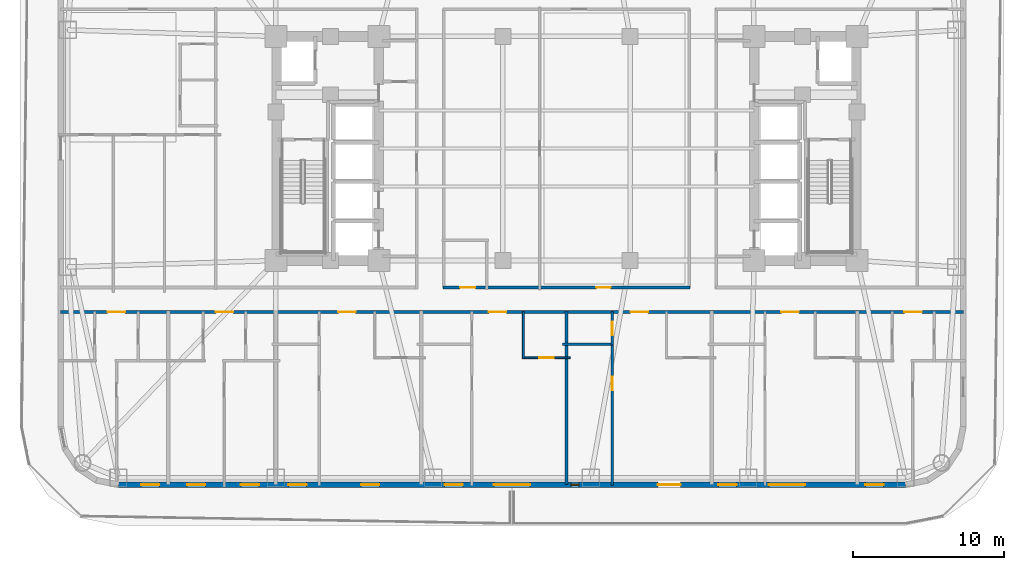
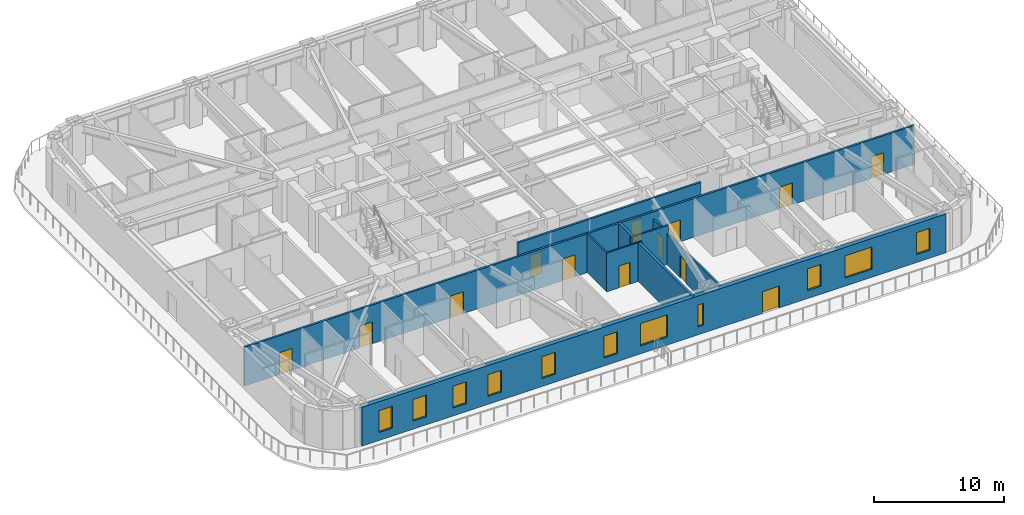
# One storey, part 5 of 14: 13 doors, 11 windows, 9 walls, 24 openings.
"""IFC4 building model written with IfcOpenShell, lengths in metres."""

from ifc_helpers import new_model, si_unit, direction, frame, frame_2d, origin, place, context, subcontext, project, spatial, rectangle, extrude, material, layer, layer_set, type_object, element, fill, save


model = new_model("IFC4")

# Units and contexts
model_context = context("Model", 3, precision=1e-05, world=origin(), true_north=direction((0.0, 1.0)))
body_context = subcontext(model_context, "Body", "Model", "MODEL_VIEW")
ifc_project = project(units=[si_unit("LENGTHUNIT", "METRE"), si_unit("AREAUNIT", "SQUARE_METRE"), si_unit("VOLUMEUNIT", "CUBIC_METRE"), si_unit("PLANEANGLEUNIT", "RADIAN"), si_unit("MASSUNIT", "GRAM", prefix="KILO")], contexts=[model_context])

# Site, building, storey
site_placement = place(None, origin())
site = spatial("IfcSite", under=ifc_project, at=site_placement, CompositionType="ELEMENT")
building_placement = place(site_placement, origin())
building = spatial("IfcBuilding", under=site, at=building_placement, Name="Voryun Gate Residences", CompositionType="ELEMENT")
storey_placement = place(building_placement, frame((0.0, 0.0, 53.300048828125)))
storey = spatial("IfcBuildingStorey", under=building, at=storey_placement, Name="L12", CompositionType="ELEMENT", Elevation=53.300048828125)

# Wall, openings, doors
ifc_material_1 = material(Name="Gypsum acoustic fireboard")
ifc_layer_1 = layer(ifc_material_1, 0.179931640625, Name="W_CORR_RATED_180")
ifc_layer_set_1 = layer_set([ifc_layer_1], Name="Gypsum acoustic fireboard")
wall_type_1 = type_object("IfcWallType", Name="W_CORR_RATED_180", PredefinedType="PARTITIONING", material=ifc_layer_set_1)
wall_1_placement = place(storey_placement, frame((-8.14990234375, -9.18994140625, 0.0), z_axis=(0.0, 0.0, 1.0), x_axis=(1.0, 0.0, 0.0)))
wall_1 = element("IfcWall", 1, at=wall_1_placement, inside=storey, type_object=wall_type_1, Name="Partition wall WP-L12-Z1S", PredefinedType="PARTITIONING", context=body_context, shape_type="SweptSolid", body=[
    extrude(rectangle(XDim=16.2998046875, YDim=0.179931640625, at=frame_2d((8.14990234375, 0.0))), origin(), (0.0, 0.0, 1.0), 3.64990234375),
])
opening_1_placement = place(wall_1_placement, frame((1.1298828125, 0.0, 0.0)))
opening_1 = element("IfcOpeningElement", 2, at=opening_1_placement, cuts=wall_1, Name="Opening D-AWC-1", PredefinedType="OPENING", context=body_context, shape_type="SweptSolid", body=[
    extrude(rectangle(XDim=1.0, YDim=2.050048828125, at=frame_2d((0.5, 1.02490234375))), frame((0.0, 0.099853515625, 0.0), z_axis=(0.0, -1.0, 0.0), x_axis=(1.0, 0.0, 0.0)), (0.0, 0.0, 1.0), 0.199951171875),
])
opening_2_placement = place(wall_1_placement, frame((10.1201171875, 0.0, 0.0)))
opening_2 = element("IfcOpeningElement", 3, at=opening_2_placement, cuts=wall_1, Name="Opening D-INT-1", PredefinedType="OPENING", context=body_context, shape_type="SweptSolid", body=[
    extrude(rectangle(XDim=0.949951171875, YDim=2.050048828125, at=frame_2d((0.47509765625, 1.02490234375))), frame((0.0, 0.099853515625, 0.0), z_axis=(0.0, -1.0, 0.0), x_axis=(1.0, 0.0, 0.0)), (0.0, 0.0, 1.0), 0.199951171875),
])
ifc_material_2 = material(Name="Architectural oak veneer")
door_type_1 = type_object("IfcDoorType", Name="DR_ACC_WC_1000", OperationType="NOTDEFINED", PredefinedType="DOOR", material=ifc_material_2)
door_1_placement = place(opening_1_placement, origin())
door_1 = element("IfcDoor", 4, at=door_1_placement, inside=storey, type_object=door_type_1, Name="Door DR-L12-CMWC-D", OperationType="SINGLE_SWING_LEFT", OverallHeight=2.050048828125, OverallWidth=1.0, PredefinedType="DOOR", context=body_context, shape_type="SweptSolid", body=[
    extrude(rectangle(XDim=1.0, YDim=2.050048828125, at=frame_2d((0.5, 1.02490234375))), frame((0.0, 0.02490234375, 0.0), z_axis=(0.0, -1.0, 0.0), x_axis=(1.0, 0.0, 0.0)), (0.0, 0.0, 1.0), 0.050048828125),
])
fill(opening_1, door_1)
ifc_material_3 = material(Name="Architectural oak veneer")
door_type_2 = type_object("IfcDoorType", Name="DR_INT_ROOM_950", OperationType="NOTDEFINED", PredefinedType="DOOR", material=ifc_material_3)
door_2_placement = place(opening_2_placement, origin())
door_2 = element("IfcDoor", 5, at=door_2_placement, inside=storey, type_object=door_type_2, Name="Door DR-L12-CMIDZ1S", OperationType="SINGLE_SWING_RIGHT", OverallHeight=2.050048828125, OverallWidth=0.949951171875, PredefinedType="DOOR", context=body_context, shape_type="SweptSolid", body=[
    extrude(rectangle(XDim=0.949951171875, YDim=2.050048828125, at=frame_2d((0.47509765625, 1.02490234375))), frame((0.0, 0.02490234375, 0.0), z_axis=(0.0, -1.0, 0.0), x_axis=(1.0, 0.0, 0.0)), (0.0, 0.0, 1.0), 0.050048828125),
])
fill(opening_2, door_2)

wall_2_placement = place(storey_placement, frame((-33.409912109375, -10.800048828125, 0.0), z_axis=(0.0, 0.0, 1.0), x_axis=(1.0, 0.0, 0.0)))
wall_2 = element("IfcWall", 6, at=wall_2_placement, inside=storey, type_object=wall_type_1, Name="Partition wall WP-L12-SCORR", PredefinedType="PARTITIONING", context=body_context, shape_type="SweptSolid", body=[
    extrude(rectangle(XDim=59.619873046875, YDim=0.179931640625, at=frame_2d((29.81005859375, 0.0))), origin(), (0.0, 0.0, 1.0), 3.64990234375),
])
opening_3_placement = place(wall_2_placement, frame((3.103515625, 0.0, 0.0)))
opening_3 = element("IfcOpeningElement", 7, at=opening_3_placement, cuts=wall_2, Name="Opening D-UNIT-1", PredefinedType="OPENING", context=body_context, shape_type="SweptSolid", body=[
    extrude(rectangle(XDim=1.14990234375, YDim=2.050048828125, at=frame_2d((0.574951171875, 1.02490234375))), frame((0.0, 0.099853515625, 0.0), z_axis=(0.0, -1.0, 0.0), x_axis=(1.0, 0.0, 0.0)), (0.0, 0.0, 1.0), 0.199951171875),
])
opening_4_placement = place(wall_2_placement, frame((10.24609375, 0.0, 0.0)))
opening_4 = element("IfcOpeningElement", 8, at=opening_4_placement, cuts=wall_2, Name="Opening D-UNIT-1", PredefinedType="OPENING", context=body_context, shape_type="SweptSolid", body=[
    extrude(rectangle(XDim=1.14990234375, YDim=2.050048828125, at=frame_2d((0.574951171875, 1.02490234375))), frame((0.0, 0.099853515625, 0.0), z_axis=(0.0, -1.0, 0.0), x_axis=(1.0, 0.0, 0.0)), (0.0, 0.0, 1.0), 0.199951171875),
])
opening_5_placement = place(wall_2_placement, frame((18.33642578125, 0.0, 0.0)))
opening_5 = element("IfcOpeningElement", 9, at=opening_5_placement, cuts=wall_2, Name="Opening D-UNIT-1", PredefinedType="OPENING", context=body_context, shape_type="SweptSolid", body=[
    extrude(rectangle(XDim=1.14990234375, YDim=2.050048828125, at=frame_2d((0.574951171875, 1.02490234375))), frame((0.0, 0.099853515625, 0.0), z_axis=(0.0, -1.0, 0.0), x_axis=(1.0, 0.0, 0.0)), (0.0, 0.0, 1.0), 0.199951171875),
])
opening_6_placement = place(wall_2_placement, frame((28.287109375, 0.0, 0.0)))
opening_6 = element("IfcOpeningElement", 10, at=opening_6_placement, cuts=wall_2, Name="Opening D-UNIT-1", PredefinedType="OPENING", context=body_context, shape_type="SweptSolid", body=[
    extrude(rectangle(XDim=1.14990234375, YDim=2.050048828125, at=frame_2d((0.574951171875, 1.02490234375))), frame((0.0, 0.099853515625, 0.0), z_axis=(0.0, -1.0, 0.0), x_axis=(1.0, 0.0, 0.0)), (0.0, 0.0, 1.0), 0.199951171875),
])
opening_7_placement = place(wall_2_placement, frame((37.6533203125, 0.0, 0.0)))
opening_7 = element("IfcOpeningElement", 11, at=opening_7_placement, cuts=wall_2, Name="Opening D-UNIT-1", PredefinedType="OPENING", context=body_context, shape_type="SweptSolid", body=[
    extrude(rectangle(XDim=1.14990234375, YDim=2.050048828125, at=frame_2d((0.574951171875, 1.02490234375))), frame((0.0, 0.099853515625, 0.0), z_axis=(0.0, -1.0, 0.0), x_axis=(1.0, 0.0, 0.0)), (0.0, 0.0, 1.0), 0.199951171875),
])
opening_8_placement = place(wall_2_placement, frame((47.60400390625, 0.0, 0.0)))
opening_8 = element("IfcOpeningElement", 12, at=opening_8_placement, cuts=wall_2, Name="Opening D-UNIT-1", PredefinedType="OPENING", context=body_context, shape_type="SweptSolid", body=[
    extrude(rectangle(XDim=1.14990234375, YDim=2.050048828125, at=frame_2d((0.574951171875, 1.02490234375))), frame((0.0, 0.099853515625, 0.0), z_axis=(0.0, -1.0, 0.0), x_axis=(1.0, 0.0, 0.0)), (0.0, 0.0, 1.0), 0.199951171875),
])
opening_9_placement = place(wall_2_placement, frame((55.736083984375, 0.0, 0.0)))
opening_9 = element("IfcOpeningElement", 13, at=opening_9_placement, cuts=wall_2, Name="Opening D-UNIT-1", PredefinedType="OPENING", context=body_context, shape_type="SweptSolid", body=[
    extrude(rectangle(XDim=1.14990234375, YDim=2.050048828125, at=frame_2d((0.574951171875, 1.02490234375))), frame((0.0, 0.099853515625, 0.0), z_axis=(0.0, -1.0, 0.0), x_axis=(1.0, 0.0, 0.0)), (0.0, 0.0, 1.0), 0.199951171875),
])
ifc_material_4 = material(Name="Armoured timber-clad fire door", Category="wood")
door_type_3 = type_object("IfcDoorType", Name="DR_UNIT_ENTRY_1150", OperationType="NOTDEFINED", PredefinedType="DOOR", material=ifc_material_4)
door_3_placement = place(opening_3_placement, origin())
door_3 = element("IfcDoor", 14, at=door_3_placement, inside=storey, type_object=door_type_3, Name="Door DR-L12-SENT-1", OperationType="SINGLE_SWING_RIGHT", OverallHeight=2.050048828125, OverallWidth=1.14990234375, PredefinedType="DOOR", context=body_context, shape_type="SweptSolid", body=[
    extrude(rectangle(XDim=1.14990234375, YDim=2.050048828125, at=frame_2d((0.574951171875, 1.02490234375))), frame((0.0, 0.02490234375, 0.0), z_axis=(0.0, -1.0, 0.0), x_axis=(1.0, 0.0, 0.0)), (0.0, 0.0, 1.0), 0.050048828125),
])
fill(opening_3, door_3)
door_4_placement = place(opening_4_placement, origin())
door_4 = element("IfcDoor", 15, at=door_4_placement, inside=storey, type_object=door_type_3, Name="Door DR-L12-SENT-2", OperationType="SINGLE_SWING_LEFT", OverallHeight=2.050048828125, OverallWidth=1.14990234375, PredefinedType="DOOR", context=body_context, shape_type="SweptSolid", body=[
    extrude(rectangle(XDim=1.14990234375, YDim=2.050048828125, at=frame_2d((0.574951171875, 1.02490234375))), frame((0.0, 0.02490234375, 0.0), z_axis=(0.0, -1.0, 0.0), x_axis=(1.0, 0.0, 0.0)), (0.0, 0.0, 1.0), 0.050048828125),
])
fill(opening_4, door_4)
door_5_placement = place(opening_5_placement, origin())
door_5 = element("IfcDoor", 16, at=door_5_placement, inside=storey, type_object=door_type_3, Name="Door DR-L12-SENT-3", OperationType="SINGLE_SWING_RIGHT", OverallHeight=2.050048828125, OverallWidth=1.14990234375, PredefinedType="DOOR", context=body_context, shape_type="SweptSolid", body=[
    extrude(rectangle(XDim=1.14990234375, YDim=2.050048828125, at=frame_2d((0.574951171875, 1.02490234375))), frame((0.0, 0.02490234375, 0.0), z_axis=(0.0, -1.0, 0.0), x_axis=(1.0, 0.0, 0.0)), (0.0, 0.0, 1.0), 0.050048828125),
])
fill(opening_5, door_5)
door_6_placement = place(opening_6_placement, origin())
door_6 = element("IfcDoor", 17, at=door_6_placement, inside=storey, type_object=door_type_3, Name="Door DR-L12-SENT-4", OperationType="SINGLE_SWING_LEFT", OverallHeight=2.050048828125, OverallWidth=1.14990234375, PredefinedType="DOOR", context=body_context, shape_type="SweptSolid", body=[
    extrude(rectangle(XDim=1.14990234375, YDim=2.050048828125, at=frame_2d((0.574951171875, 1.02490234375))), frame((0.0, 0.02490234375, 0.0), z_axis=(0.0, -1.0, 0.0), x_axis=(1.0, 0.0, 0.0)), (0.0, 0.0, 1.0), 0.050048828125),
])
fill(opening_6, door_6)
door_7_placement = place(opening_7_placement, origin())
door_7 = element("IfcDoor", 18, at=door_7_placement, inside=storey, type_object=door_type_3, Name="Door DR-L12-SENT-5", OperationType="SINGLE_SWING_RIGHT", OverallHeight=2.050048828125, OverallWidth=1.14990234375, PredefinedType="DOOR", context=body_context, shape_type="SweptSolid", body=[
    extrude(rectangle(XDim=1.14990234375, YDim=2.050048828125, at=frame_2d((0.574951171875, 1.02490234375))), frame((0.0, 0.02490234375, 0.0), z_axis=(0.0, -1.0, 0.0), x_axis=(1.0, 0.0, 0.0)), (0.0, 0.0, 1.0), 0.050048828125),
])
fill(opening_7, door_7)
door_8_placement = place(opening_8_placement, origin())
door_8 = element("IfcDoor", 19, at=door_8_placement, inside=storey, type_object=door_type_3, Name="Door DR-L12-SENT-6", OperationType="SINGLE_SWING_LEFT", OverallHeight=2.050048828125, OverallWidth=1.14990234375, PredefinedType="DOOR", context=body_context, shape_type="SweptSolid", body=[
    extrude(rectangle(XDim=1.14990234375, YDim=2.050048828125, at=frame_2d((0.574951171875, 1.02490234375))), frame((0.0, 0.02490234375, 0.0), z_axis=(0.0, -1.0, 0.0), x_axis=(1.0, 0.0, 0.0)), (0.0, 0.0, 1.0), 0.050048828125),
])
fill(opening_8, door_8)
door_9_placement = place(opening_9_placement, origin())
door_9 = element("IfcDoor", 20, at=door_9_placement, inside=storey, type_object=door_type_3, Name="Door DR-L12-SENT-7", OperationType="SINGLE_SWING_RIGHT", OverallHeight=2.050048828125, OverallWidth=1.14990234375, PredefinedType="DOOR", context=body_context, shape_type="SweptSolid", body=[
    extrude(rectangle(XDim=1.14990234375, YDim=2.050048828125, at=frame_2d((0.574951171875, 1.02490234375))), frame((0.0, 0.02490234375, 0.0), z_axis=(0.0, -1.0, 0.0), x_axis=(1.0, 0.0, 0.0)), (0.0, 0.0, 1.0), 0.050048828125),
])
fill(opening_9, door_9)

# Wall, openings, door, windows
ifc_material_5 = material(Name="Granite masonry", Category="masonry")
ifc_layer_2 = layer(ifc_material_5, 0.3798828125, Name="W_EXT_GRANITE_380")
ifc_layer_set_2 = layer_set([ifc_layer_2], Name="Granite masonry")
wall_type_2 = type_object("IfcWallType", Name="W_EXT_GRANITE_380", PredefinedType="ELEMENTEDWALL", material=ifc_layer_set_2)
wall_3_placement = place(storey_placement, frame((22.38134765625, -22.2099609375, 0.0), z_axis=(0.0, 0.0, 1.0), x_axis=(-1.0, 0.0, 0.0)))
wall_3 = element("IfcWall", 21, at=wall_3_placement, inside=storey, type_object=wall_type_2, Name="Exterior wall WEXT-L12-01", PredefinedType="ELEMENTEDWALL", context=body_context, shape_type="SweptSolid", body=[
    extrude(rectangle(XDim=51.962646484375, YDim=0.3798828125, at=frame_2d((25.9814453125, 0.0))), origin(), (0.0, 0.0, 1.0), 3.64990234375),
])
opening_10_placement = place(wall_3_placement, frame((14.839111328125, 0.0, 0.0)))
opening_10 = element("IfcOpeningElement", 22, at=opening_10_placement, cuts=wall_3, Name="Opening D-TER-1", PredefinedType="OPENING", context=body_context, shape_type="SweptSolid", body=[
    extrude(rectangle(XDim=1.5, YDim=2.050048828125, at=frame_2d((0.75, 1.02490234375))), frame((0.0, 0.199951171875, 0.0), z_axis=(0.0, -1.0, 0.0), x_axis=(1.0, 0.0, 0.0)), (0.0, 0.0, 1.0), 0.39990234375),
])
opening_11_placement = place(wall_3_placement, frame((6.6103515625, 0.0, 0.75)))
opening_11 = element("IfcOpeningElement", 23, at=opening_11_placement, cuts=wall_3, Name="Opening WN2", PredefinedType="OPENING", context=body_context, shape_type="SweptSolid", body=[
    extrude(rectangle(XDim=2.39990234375, YDim=2.10009765625, at=frame_2d((1.199951171875, 1.050048828125))), frame((0.0, 0.199951171875, 0.0), z_axis=(0.0, -1.0, 0.0), x_axis=(1.0, 0.0, 0.0)), (0.0, 0.0, 1.0), 0.39990234375),
])
opening_12_placement = place(wall_3_placement, frame((24.78125, 0.0, 0.75)))
opening_12 = element("IfcOpeningElement", 24, at=opening_12_placement, cuts=wall_3, Name="Opening WN2", PredefinedType="OPENING", context=body_context, shape_type="SweptSolid", body=[
    extrude(rectangle(XDim=2.39990234375, YDim=2.10009765625, at=frame_2d((1.199951171875, 1.050048828125))), frame((0.0, 0.199951171875, 0.0), z_axis=(0.0, -1.0, 0.0), x_axis=(1.0, 0.0, 0.0)), (0.0, 0.0, 1.0), 0.39990234375),
])
opening_13_placement = place(wall_3_placement, frame((49.281494140625, 0.0, 0.75)))
opening_13 = element("IfcOpeningElement", 25, at=opening_13_placement, cuts=wall_3, Name="Opening WN6", PredefinedType="OPENING", context=body_context, shape_type="SweptSolid", body=[
    extrude(rectangle(XDim=1.199951171875, YDim=2.050048828125, at=frame_2d((0.60009765625, 1.02490234375))), frame((0.0, 0.199951171875, 0.0), z_axis=(0.0, -1.0, 0.0), x_axis=(1.0, 0.0, 0.0)), (0.0, 0.0, 1.0), 0.39990234375),
])
opening_14_placement = place(wall_3_placement, frame((46.24072265625, 0.0, 0.75)))
opening_14 = element("IfcOpeningElement", 26, at=opening_14_placement, cuts=wall_3, Name="Opening WN6", PredefinedType="OPENING", context=body_context, shape_type="SweptSolid", body=[
    extrude(rectangle(XDim=1.199951171875, YDim=2.050048828125, at=frame_2d((0.60009765625, 1.02490234375))), frame((0.0, 0.199951171875, 0.0), z_axis=(0.0, -1.0, 0.0), x_axis=(1.0, 0.0, 0.0)), (0.0, 0.0, 1.0), 0.39990234375),
])
opening_15_placement = place(wall_3_placement, frame((42.686279296875, 0.0, 0.75)))
opening_15 = element("IfcOpeningElement", 27, at=opening_15_placement, cuts=wall_3, Name="Opening WN6", PredefinedType="OPENING", context=body_context, shape_type="SweptSolid", body=[
    extrude(rectangle(XDim=1.199951171875, YDim=2.050048828125, at=frame_2d((0.60009765625, 1.02490234375))), frame((0.0, 0.199951171875, 0.0), z_axis=(0.0, -1.0, 0.0), x_axis=(1.0, 0.0, 0.0)), (0.0, 0.0, 1.0), 0.39990234375),
])
opening_16_placement = place(wall_3_placement, frame((39.54833984375, 0.0, 0.75)))
opening_16 = element("IfcOpeningElement", 28, at=opening_16_placement, cuts=wall_3, Name="Opening WN6", PredefinedType="OPENING", context=body_context, shape_type="SweptSolid", body=[
    extrude(rectangle(XDim=1.199951171875, YDim=2.050048828125, at=frame_2d((0.60009765625, 1.02490234375))), frame((0.0, 0.199951171875, 0.0), z_axis=(0.0, -1.0, 0.0), x_axis=(1.0, 0.0, 0.0)), (0.0, 0.0, 1.0), 0.39990234375),
])
opening_17_placement = place(wall_3_placement, frame((34.748291015625, 0.0, 0.75)))
opening_17 = element("IfcOpeningElement", 29, at=opening_17_placement, cuts=wall_3, Name="Opening WN6", PredefinedType="OPENING", context=body_context, shape_type="SweptSolid", body=[
    extrude(rectangle(XDim=1.199951171875, YDim=2.050048828125, at=frame_2d((0.60009765625, 1.02490234375))), frame((0.0, 0.199951171875, 0.0), z_axis=(0.0, -1.0, 0.0), x_axis=(1.0, 0.0, 0.0)), (0.0, 0.0, 1.0), 0.39990234375),
])
opening_18_placement = place(wall_3_placement, frame((29.226318359375, 0.0, 0.75)))
opening_18 = element("IfcOpeningElement", 30, at=opening_18_placement, cuts=wall_3, Name="Opening WN6", PredefinedType="OPENING", context=body_context, shape_type="SweptSolid", body=[
    extrude(rectangle(XDim=1.199951171875, YDim=2.050048828125, at=frame_2d((0.60009765625, 1.02490234375))), frame((0.0, 0.199951171875, 0.0), z_axis=(0.0, -1.0, 0.0), x_axis=(1.0, 0.0, 0.0)), (0.0, 0.0, 1.0), 0.39990234375),
])
opening_19_placement = place(wall_3_placement, frame((21.56787109375, 0.0, 0.75)))
opening_19 = element("IfcOpeningElement", 31, at=opening_19_placement, cuts=wall_3, Name="Opening WN10", PredefinedType="OPENING", context=body_context, shape_type="SweptSolid", body=[
    extrude(rectangle(XDim=0.52001953125, YDim=2.050048828125, at=frame_2d((0.260009765625, 1.02490234375))), frame((0.0, 0.199951171875, 0.0), z_axis=(0.0, -1.0, 0.0), x_axis=(1.0, 0.0, 0.0)), (0.0, 0.0, 1.0), 0.39990234375),
])
opening_20_placement = place(wall_3_placement, frame((11.146240234375, 0.0, 0.75)))
opening_20 = element("IfcOpeningElement", 32, at=opening_20_placement, cuts=wall_3, Name="Opening WN6", PredefinedType="OPENING", context=body_context, shape_type="SweptSolid", body=[
    extrude(rectangle(XDim=1.199951171875, YDim=2.050048828125, at=frame_2d((0.60009765625, 1.02490234375))), frame((0.0, 0.199951171875, 0.0), z_axis=(0.0, -1.0, 0.0), x_axis=(1.0, 0.0, 0.0)), (0.0, 0.0, 1.0), 0.39990234375),
])
opening_21_placement = place(wall_3_placement, frame((1.435791015625, 0.0, 0.75)))
opening_21 = element("IfcOpeningElement", 33, at=opening_21_placement, cuts=wall_3, Name="Opening WN6", PredefinedType="OPENING", context=body_context, shape_type="SweptSolid", body=[
    extrude(rectangle(XDim=1.199951171875, YDim=2.050048828125, at=frame_2d((0.60009765625, 1.02490234375))), frame((0.0, 0.199951171875, 0.0), z_axis=(0.0, -1.0, 0.0), x_axis=(1.0, 0.0, 0.0)), (0.0, 0.0, 1.0), 0.39990234375),
])
ifc_material_6 = material(Name="Thermally broken aluminium and low-E glass", Category="aluminium")
door_type_4 = type_object("IfcDoorType", Name="DR_TERR_EXIT_1500", OperationType="NOTDEFINED", PredefinedType="DOOR", material=ifc_material_6)
door_10_placement = place(opening_10_placement, origin())
door_10 = element("IfcDoor", 34, at=door_10_placement, inside=storey, type_object=door_type_4, Name="Door DR-L12-OUT-02", OperationType="SLIDING_TO_RIGHT", OverallHeight=2.050048828125, OverallWidth=1.5, PredefinedType="DOOR", context=body_context, shape_type="SweptSolid", body=[
    extrude(rectangle(XDim=1.5, YDim=2.050048828125, at=frame_2d((0.75, 1.02490234375))), frame((0.0, 0.02490234375, 0.0), z_axis=(0.0, -1.0, 0.0), x_axis=(1.0, 0.0, 0.0)), (0.0, 0.0, 1.0), 0.050048828125),
])
fill(opening_10, door_10)
ifc_material_7 = material(Name="Laminated low-E glass", Category="glass")
window_type_1 = type_object("IfcWindowType", Name="WN_PAGODA_LANCET_520", PartitioningType="SINGLE_PANEL", PredefinedType="WINDOW", material=ifc_material_7)
window_1_placement = place(opening_19_placement, origin())
window_1 = element("IfcWindow", 35, at=window_1_placement, inside=storey, type_object=window_type_1, Name="Window WN-L12-DWFIX-19", OverallHeight=2.050048828125, OverallWidth=0.52001953125, PartitioningType="SINGLE_PANEL", PredefinedType="WINDOW", context=body_context, shape_type="SweptSolid", body=[
    extrude(rectangle(XDim=0.52001953125, YDim=2.050048828125, at=frame_2d((0.260009765625, 1.02490234375))), frame((0.0, 0.030029296875, 0.0), z_axis=(0.0, -1.0, 0.0), x_axis=(1.0, 0.0, 0.0)), (0.0, 0.0, 1.0), 0.06005859375),
])
fill(opening_19, window_1)
ifc_material_8 = material(Name="Laminated low-E glass", Category="glass")
window_type_2 = type_object("IfcWindowType", Name="WN_POD_SLOT_1200", PartitioningType="SINGLE_PANEL", PredefinedType="WINDOW", material=ifc_material_8)
window_2_placement = place(opening_13_placement, origin())
window_2 = element("IfcWindow", 36, at=window_2_placement, inside=storey, type_object=window_type_2, Name="Window WN-L12-DWFIX-13", OverallHeight=2.050048828125, OverallWidth=1.199951171875, PartitioningType="SINGLE_PANEL", PredefinedType="WINDOW", context=body_context, shape_type="SweptSolid", body=[
    extrude(rectangle(XDim=1.199951171875, YDim=2.050048828125, at=frame_2d((0.60009765625, 1.02490234375))), frame((0.0, 0.030029296875, 0.0), z_axis=(0.0, -1.0, 0.0), x_axis=(1.0, 0.0, 0.0)), (0.0, 0.0, 1.0), 0.06005859375),
])
fill(opening_13, window_2)
window_3_placement = place(opening_14_placement, origin())
window_3 = element("IfcWindow", 37, at=window_3_placement, inside=storey, type_object=window_type_2, Name="Window WN-L12-DWFIX-14", OverallHeight=2.050048828125, OverallWidth=1.199951171875, PartitioningType="SINGLE_PANEL", PredefinedType="WINDOW", context=body_context, shape_type="SweptSolid", body=[
    extrude(rectangle(XDim=1.199951171875, YDim=2.050048828125, at=frame_2d((0.60009765625, 1.02490234375))), frame((0.0, 0.030029296875, 0.0), z_axis=(0.0, -1.0, 0.0), x_axis=(1.0, 0.0, 0.0)), (0.0, 0.0, 1.0), 0.06005859375),
])
fill(opening_14, window_3)
window_4_placement = place(opening_15_placement, origin())
window_4 = element("IfcWindow", 38, at=window_4_placement, inside=storey, type_object=window_type_2, Name="Window WN-L12-DWFIX-15", OverallHeight=2.050048828125, OverallWidth=1.199951171875, PartitioningType="SINGLE_PANEL", PredefinedType="WINDOW", context=body_context, shape_type="SweptSolid", body=[
    extrude(rectangle(XDim=1.199951171875, YDim=2.050048828125, at=frame_2d((0.60009765625, 1.02490234375))), frame((0.0, 0.030029296875, 0.0), z_axis=(0.0, -1.0, 0.0), x_axis=(1.0, 0.0, 0.0)), (0.0, 0.0, 1.0), 0.06005859375),
])
fill(opening_15, window_4)
window_5_placement = place(opening_16_placement, origin())
window_5 = element("IfcWindow", 39, at=window_5_placement, inside=storey, type_object=window_type_2, Name="Window WN-L12-DWFIX-16", OverallHeight=2.050048828125, OverallWidth=1.199951171875, PartitioningType="SINGLE_PANEL", PredefinedType="WINDOW", context=body_context, shape_type="SweptSolid", body=[
    extrude(rectangle(XDim=1.199951171875, YDim=2.050048828125, at=frame_2d((0.60009765625, 1.02490234375))), frame((0.0, 0.030029296875, 0.0), z_axis=(0.0, -1.0, 0.0), x_axis=(1.0, 0.0, 0.0)), (0.0, 0.0, 1.0), 0.06005859375),
])
fill(opening_16, window_5)
window_6_placement = place(opening_17_placement, origin())
window_6 = element("IfcWindow", 40, at=window_6_placement, inside=storey, type_object=window_type_2, Name="Window WN-L12-DWFIX-17", OverallHeight=2.050048828125, OverallWidth=1.199951171875, PartitioningType="SINGLE_PANEL", PredefinedType="WINDOW", context=body_context, shape_type="SweptSolid", body=[
    extrude(rectangle(XDim=1.199951171875, YDim=2.050048828125, at=frame_2d((0.60009765625, 1.02490234375))), frame((0.0, 0.030029296875, 0.0), z_axis=(0.0, -1.0, 0.0), x_axis=(1.0, 0.0, 0.0)), (0.0, 0.0, 1.0), 0.06005859375),
])
fill(opening_17, window_6)
window_7_placement = place(opening_18_placement, origin())
window_7 = element("IfcWindow", 41, at=window_7_placement, inside=storey, type_object=window_type_2, Name="Window WN-L12-DWFIX-18", OverallHeight=2.050048828125, OverallWidth=1.199951171875, PartitioningType="SINGLE_PANEL", PredefinedType="WINDOW", context=body_context, shape_type="SweptSolid", body=[
    extrude(rectangle(XDim=1.199951171875, YDim=2.050048828125, at=frame_2d((0.60009765625, 1.02490234375))), frame((0.0, 0.030029296875, 0.0), z_axis=(0.0, -1.0, 0.0), x_axis=(1.0, 0.0, 0.0)), (0.0, 0.0, 1.0), 0.06005859375),
])
fill(opening_18, window_7)
window_8_placement = place(opening_20_placement, origin())
window_8 = element("IfcWindow", 42, at=window_8_placement, inside=storey, type_object=window_type_2, Name="Window WN-L12-DWFIX-20", OverallHeight=2.050048828125, OverallWidth=1.199951171875, PartitioningType="SINGLE_PANEL", PredefinedType="WINDOW", context=body_context, shape_type="SweptSolid", body=[
    extrude(rectangle(XDim=1.199951171875, YDim=2.050048828125, at=frame_2d((0.60009765625, 1.02490234375))), frame((0.0, 0.030029296875, 0.0), z_axis=(0.0, -1.0, 0.0), x_axis=(1.0, 0.0, 0.0)), (0.0, 0.0, 1.0), 0.06005859375),
])
fill(opening_20, window_8)
window_9_placement = place(opening_21_placement, origin())
window_9 = element("IfcWindow", 43, at=window_9_placement, inside=storey, type_object=window_type_2, Name="Window WN-L12-DWFIX-21", OverallHeight=2.050048828125, OverallWidth=1.199951171875, PartitioningType="SINGLE_PANEL", PredefinedType="WINDOW", context=body_context, shape_type="SweptSolid", body=[
    extrude(rectangle(XDim=1.199951171875, YDim=2.050048828125, at=frame_2d((0.60009765625, 1.02490234375))), frame((0.0, 0.030029296875, 0.0), z_axis=(0.0, -1.0, 0.0), x_axis=(1.0, 0.0, 0.0)), (0.0, 0.0, 1.0), 0.06005859375),
])
fill(opening_21, window_9)
ifc_material_9 = material(Name="Laminated low-E glass", Category="glass")
window_type_3 = type_object("IfcWindowType", Name="WN_RES_WIDE_2400", PartitioningType="SINGLE_PANEL", PredefinedType="WINDOW", material=ifc_material_9)
window_10_placement = place(opening_11_placement, origin())
window_10 = element("IfcWindow", 44, at=window_10_placement, inside=storey, type_object=window_type_3, Name="Window WN-WEXT-L12-01-01", OverallHeight=2.10009765625, OverallWidth=2.39990234375, PartitioningType="SINGLE_PANEL", PredefinedType="WINDOW", context=body_context, shape_type="SweptSolid", body=[
    extrude(rectangle(XDim=2.39990234375, YDim=2.10009765625, at=frame_2d((1.199951171875, 1.050048828125))), frame((0.0, 0.030029296875, 0.0), z_axis=(0.0, -1.0, 0.0), x_axis=(1.0, 0.0, 0.0)), (0.0, 0.0, 1.0), 0.06005859375),
])
fill(opening_11, window_10)
window_11_placement = place(opening_12_placement, origin())
window_11 = element("IfcWindow", 45, at=window_11_placement, inside=storey, type_object=window_type_3, Name="Window WN-WEXT-L12-01-02", OverallHeight=2.10009765625, OverallWidth=2.39990234375, PartitioningType="SINGLE_PANEL", PredefinedType="WINDOW", context=body_context, shape_type="SweptSolid", body=[
    extrude(rectangle(XDim=2.39990234375, YDim=2.10009765625, at=frame_2d((1.199951171875, 1.050048828125))), frame((0.0, 0.030029296875, 0.0), z_axis=(0.0, -1.0, 0.0), x_axis=(1.0, 0.0, 0.0)), (0.0, 0.0, 1.0), 0.06005859375),
])
fill(opening_12, window_11)

# Wall
ifc_material_10 = material(Name="Concrete C40/50", Category="concrete")
ifc_layer_3 = layer(ifc_material_10, 0.219970703125, Name="W_PARTY_ACOUSTIC_220")
ifc_layer_set_3 = layer_set([ifc_layer_3], Name="Concrete C40/50")
wall_type_3 = type_object("IfcWallType", Name="W_PARTY_ACOUSTIC_220", PredefinedType="PARTITIONING", material=ifc_layer_set_3)
wall_4_placement = place(storey_placement, frame((0.0, -22.2099609375, 0.0), z_axis=(0.0, 0.0, 1.0), x_axis=(0.0, 1.0, 0.0)))
element("IfcWall", 46, at=wall_4_placement, inside=storey, type_object=wall_type_3, Name="Partition wall WP-L12-SPTY-4", PredefinedType="PARTITIONING", context=body_context, shape_type="SweptSolid", body=[
    extrude(rectangle(XDim=11.489990234375, YDim=0.219970703125, at=frame_2d((5.7451171875, 0.0))), origin(), (0.0, 0.0, 1.0), 3.64990234375),
])

# Wall, opening, door
ifc_material_11 = material(Name="Gypsum acoustic partition")
ifc_layer_4 = layer(ifc_material_11, 0.125, Name="W_UNIT_PART_125")
ifc_layer_set_4 = layer_set([ifc_layer_4], Name="Gypsum acoustic partition")
wall_type_4 = type_object("IfcWallType", Name="W_UNIT_PART_125", PredefinedType="PARTITIONING", material=ifc_layer_set_4)
wall_5_placement = place(storey_placement, frame((-2.905029296875, -13.820068359375, 0.0), z_axis=(0.0, 0.0, 1.0), x_axis=(1.0, 0.0, 0.0)))
wall_5 = element("IfcWall", 47, at=wall_5_placement, inside=storey, type_object=wall_type_4, Name="Partition wall WP-L12-S4-KHY", PredefinedType="PARTITIONING", context=body_context, shape_type="SweptSolid", body=[
    extrude(rectangle(XDim=3.1650390625, YDim=0.125, at=frame_2d((1.58251953125, 0.0))), origin(), (0.0, 0.0, 1.0), 3.64990234375),
])
opening_22_placement = place(wall_5_placement, frame((1.107421875, 0.0, 0.0)))
opening_22 = element("IfcOpeningElement", 48, at=opening_22_placement, cuts=wall_5, Name="Opening D-INT-1", PredefinedType="OPENING", context=body_context, shape_type="SweptSolid", body=[
    extrude(rectangle(XDim=0.949951171875, YDim=2.050048828125, at=frame_2d((0.47509765625, 1.02490234375))), frame((0.0, 0.072509765625, 0.0), z_axis=(0.0, -1.0, 0.0), x_axis=(1.0, 0.0, 0.0)), (0.0, 0.0, 1.0), 0.14501953125),
])
door_11_placement = place(opening_22_placement, origin())
door_11 = element("IfcDoor", 49, at=door_11_placement, inside=storey, type_object=door_type_2, Name="Door DR-L12-S4-DK", OperationType="SINGLE_SWING_LEFT", OverallHeight=2.050048828125, OverallWidth=0.949951171875, PredefinedType="DOOR", context=body_context, shape_type="SweptSolid", body=[
    extrude(rectangle(XDim=0.949951171875, YDim=2.050048828125, at=frame_2d((0.47509765625, 1.02490234375))), frame((0.0, 0.02490234375, 0.0), z_axis=(0.0, -1.0, 0.0), x_axis=(1.0, 0.0, 0.0)), (0.0, 0.0, 1.0), 0.050048828125),
])
fill(opening_22, door_11)

# Walls
wall_6_placement = place(storey_placement, frame((-2.844970703125, -13.8798828125, 0.0), z_axis=(0.0, 0.0, 1.0), x_axis=(0.0, 1.0, 0.0)))
element("IfcWall", 50, at=wall_6_placement, inside=storey, type_object=wall_type_4, Name="Partition wall WP-L12-S4-KVX", PredefinedType="PARTITIONING", context=body_context, shape_type="SweptSolid", body=[
    extrude(rectangle(XDim=3.099853515625, YDim=0.125, at=frame_2d((1.5498046875, 0.0))), origin(), (0.0, 0.0, 1.0), 3.64990234375),
])
ifc_material_12 = material(Name="Gypsum moisture-resistant partition")
ifc_layer_5 = layer(ifc_material_12, 0.14990234375, Name="W_WET_PLUMB_150")
ifc_layer_set_5 = layer_set([ifc_layer_5], Name="Gypsum moisture-resistant partition")
wall_type_5 = type_object("IfcWallType", Name="W_WET_PLUMB_150", PredefinedType="PLUMBINGWALL", material=ifc_layer_set_5)
wall_7_placement = place(storey_placement, frame((-0.260009765625, -12.93994140625, 0.0), z_axis=(0.0, 0.0, 1.0), x_axis=(1.0, 0.0, 0.0)))
element("IfcWall", 51, at=wall_7_placement, inside=storey, type_object=wall_type_5, Name="Partition wall WP-L12-S5-LHY", PredefinedType="PLUMBINGWALL", context=body_context, shape_type="SweptSolid", body=[
    extrude(rectangle(XDim=3.366943359375, YDim=0.14990234375, at=frame_2d((1.68359375, 0.0))), origin(), (0.0, 0.0, 1.0), 3.64990234375),
])

# Wall, opening, door
wall_8_placement = place(storey_placement, frame((3.027099609375, -22.257568359375, 0.0), z_axis=(0.0, 0.0, 1.0), x_axis=(0.0, 1.0, 0.0)))
wall_8 = element("IfcWall", 52, at=wall_8_placement, inside=storey, type_object=wall_type_5, Name="Partition wall WP-L12-S5-LVX1", PredefinedType="PLUMBINGWALL", context=body_context, shape_type="SweptSolid", body=[
    extrude(rectangle(XDim=9.357666015625, YDim=0.14990234375, at=frame_2d((4.6787109375, 0.0))), origin(), (0.0, 0.0, 1.0), 2.93994140625),
])
opening_23_placement = place(wall_8_placement, frame((6.28759765625, 0.0, 0.0)))
opening_23 = element("IfcOpeningElement", 53, at=opening_23_placement, cuts=wall_8, Name="Opening D-INT-2", PredefinedType="OPENING", context=body_context, shape_type="SweptSolid", body=[
    extrude(rectangle(XDim=0.89990234375, YDim=2.050048828125, at=frame_2d((0.449951171875, 1.02490234375))), frame((0.0, 0.0849609375, 0.0), z_axis=(0.0, -1.0, 0.0), x_axis=(1.0, 0.0, 0.0)), (0.0, 0.0, 1.0), 0.169921875),
])
ifc_material_13 = material(Name="Architectural oak veneer")
door_type_5 = type_object("IfcDoorType", Name="DR_INT_BATH_900", OperationType="NOTDEFINED", PredefinedType="DOOR", material=ifc_material_13)
door_12_placement = place(opening_23_placement, origin())
door_12 = element("IfcDoor", 54, at=door_12_placement, inside=storey, type_object=door_type_5, Name="Door DR-L12-S5-DMB", OperationType="SINGLE_SWING_LEFT", OverallHeight=2.050048828125, OverallWidth=0.89990234375, PredefinedType="DOOR", context=body_context, shape_type="SweptSolid", body=[
    extrude(rectangle(XDim=0.89990234375, YDim=2.050048828125, at=frame_2d((0.449951171875, 1.02490234375))), frame((0.0, 0.02490234375, 0.0), z_axis=(0.0, -1.0, 0.0), x_axis=(1.0, 0.0, 0.0)), (0.0, 0.0, 1.0), 0.050048828125),
])
fill(opening_23, door_12)

wall_9_placement = place(storey_placement, frame((3.027099609375, -12.97998046875, 0.0), z_axis=(0.0, 0.0, 1.0), x_axis=(0.0, 1.0, 0.0)))
wall_9 = element("IfcWall", 55, at=wall_9_placement, inside=storey, type_object=wall_type_5, Name="Partition wall WP-L12-S5-LVX2", PredefinedType="PLUMBINGWALL", context=body_context, shape_type="SweptSolid", body=[
    extrude(rectangle(XDim=2.199951171875, YDim=0.14990234375, at=frame_2d((1.10009765625, 0.0))), origin(), (0.0, 0.0, 1.0), 2.93994140625),
])
opening_24_placement = place(wall_9_placement, frame((0.64990234375, 0.0, 0.0)))
opening_24 = element("IfcOpeningElement", 56, at=opening_24_placement, cuts=wall_9, Name="Opening D-INT-2", PredefinedType="OPENING", context=body_context, shape_type="SweptSolid", body=[
    extrude(rectangle(XDim=0.89990234375, YDim=2.050048828125, at=frame_2d((0.449951171875, 1.02490234375))), frame((0.0, 0.0849609375, 0.0), z_axis=(0.0, -1.0, 0.0), x_axis=(1.0, 0.0, 0.0)), (0.0, 0.0, 1.0), 0.169921875),
])
door_13_placement = place(opening_24_placement, origin())
door_13 = element("IfcDoor", 57, at=door_13_placement, inside=storey, type_object=door_type_5, Name="Door DR-L12-S5-DB", OperationType="SINGLE_SWING_RIGHT", OverallHeight=2.050048828125, OverallWidth=0.89990234375, PredefinedType="DOOR", context=body_context, shape_type="SweptSolid", body=[
    extrude(rectangle(XDim=0.89990234375, YDim=2.050048828125, at=frame_2d((0.449951171875, 1.02490234375))), frame((0.0, 0.02490234375, 0.0), z_axis=(0.0, -1.0, 0.0), x_axis=(1.0, 0.0, 0.0)), (0.0, 0.0, 1.0), 0.050048828125),
])
fill(opening_24, door_13)

save(model, "model.ifc")
